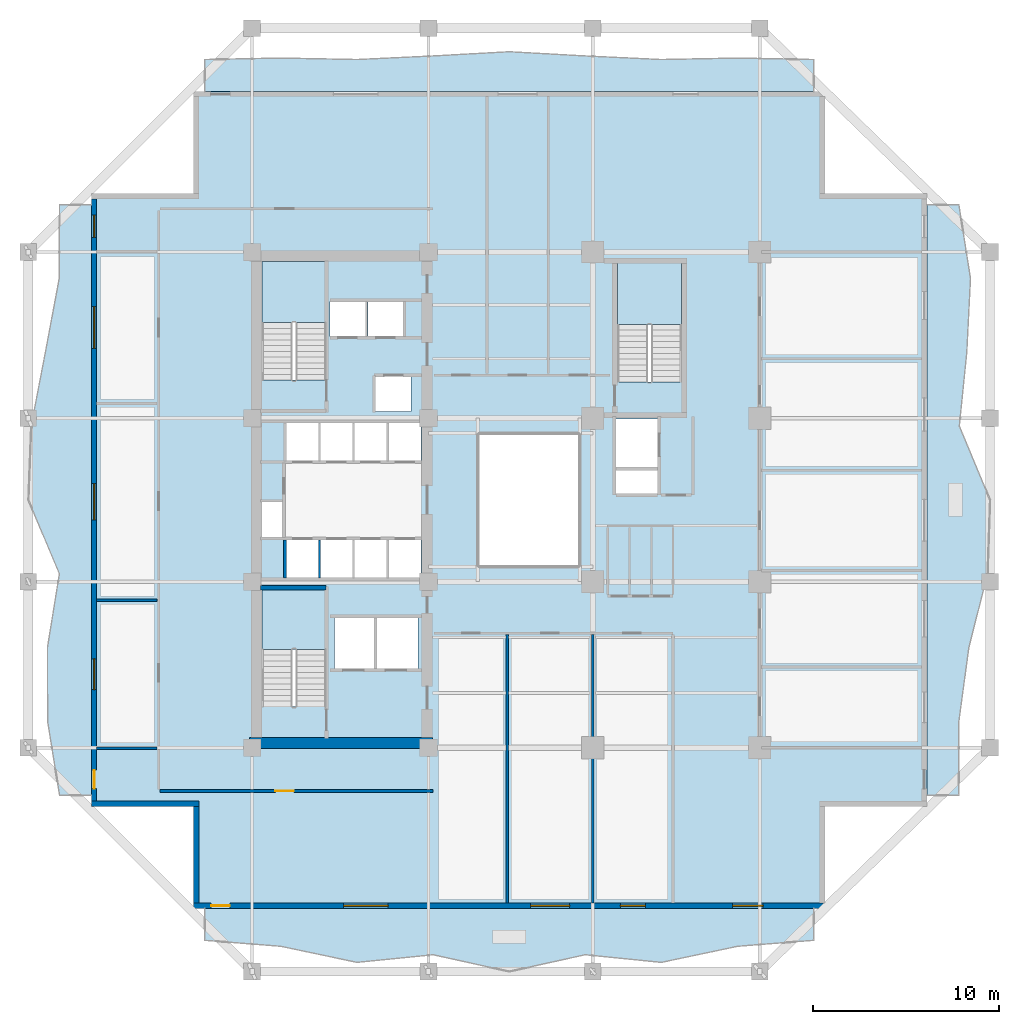
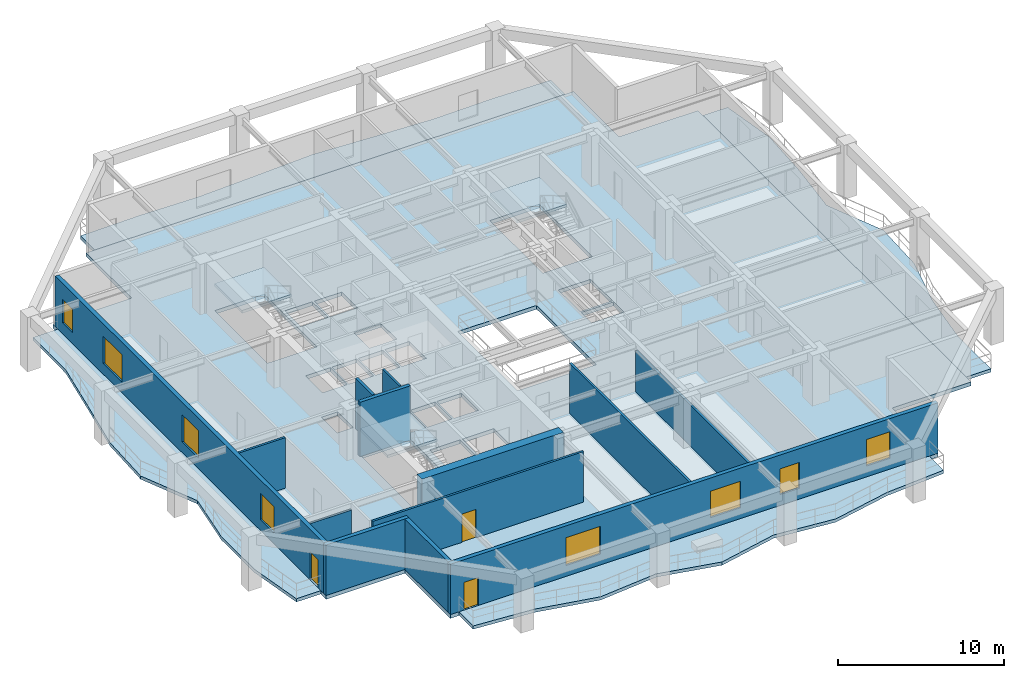
# One storey, part 2 of 13: 13 walls, 8 slabs, 8 windows, 3 doors, 11 openings, 3 elements without a shape of their own.
"""IFC4 building model written with IfcOpenShell, lengths in metres."""

from ifc_helpers import new_model, si_unit, direction, frame, frame_2d, origin, place, context, subcontext, project, spatial, polyline, rectangle, outline, extrude, material, layer, layer_set, type_object, element, fill, aggregate, save


model = new_model("IFC4")

# Units and contexts
model_context = context("Model", 3, precision=1e-05, world=origin(), true_north=direction((0.0, 1.0)))
body_context = subcontext(model_context, "Body", "Model", "MODEL_VIEW")
ifc_project = project(units=[si_unit("LENGTHUNIT", "METRE"), si_unit("AREAUNIT", "SQUARE_METRE"), si_unit("VOLUMEUNIT", "CUBIC_METRE"), si_unit("PLANEANGLEUNIT", "RADIAN"), si_unit("MASSUNIT", "GRAM", prefix="KILO")], contexts=[model_context])

# Site, building, storey
site_placement = place(None, origin())
site = spatial("IfcSite", under=ifc_project, at=site_placement, CompositionType="ELEMENT")
building_placement = place(site_placement, origin())
building = spatial("IfcBuilding", under=site, at=building_placement, Name="Kundavana Baori Tower", CompositionType="ELEMENT")
storey_placement = place(building_placement, frame((0.0, 0.0, 54.0)))
storey = spatial("IfcBuildingStorey", under=building, at=storey_placement, Name="L12", CompositionType="ELEMENT", Elevation=54.0)

# Slab
ifc_material_1 = material(Name="Concrete C40/50", Category="concrete")
ifc_layer_1 = layer(ifc_material_1, 0.280029296875, Name="SLB-FLR-280")
ifc_layer_set_1 = layer_set([ifc_layer_1], Name="Concrete C40/50")
slab_type_1 = type_object("IfcSlabType", Name="SLB-FLR-280", PredefinedType="FLOOR", material=ifc_layer_set_1)
slab_1_placement = place(storey_placement, frame((0.0, 0.0, -0.280029296875)))
element("IfcSlab", 1, at=slab_1_placement, inside=storey, type_object=slab_type_1, Name="L12 Structural Floor Slab", PredefinedType="FLOOR", context=body_context, shape_type="SweptSolid", body=[
    extrude(outline(polyline([(12.300048828125, 6.60009765625), (46.300048828125, 6.60009765625), (46.300048828125, 12.10009765625), (51.800048828125, 12.10009765625), (51.800048828125, 45.10009765625), (46.300048828125, 45.10009765625), (46.300048828125, 50.60009765625), (12.300048828125, 50.60009765625), (12.300048828125, 45.10009765625), (6.800048828125, 45.10009765625), (6.800048828125, 12.10009765625), (12.300048828125, 12.10009765625), (12.300048828125, 6.60009765625)]), holes=[polyline([(19.43994140625, 17.4619140625), (19.43994140625, 23.85009765625), (15.97998046875, 23.85009765625), (15.97998046875, 17.4619140625), (19.43994140625, 17.4619140625)]), polyline([(19.43994140625, 35.06201171875), (19.43994140625, 41.449951171875), (15.97998046875, 41.449951171875), (15.97998046875, 35.06201171875), (19.43994140625, 35.06201171875)]), polyline([(38.580078125, 34.9619140625), (38.580078125, 41.35009765625), (35.1201171875, 41.35009765625), (35.1201171875, 34.9619140625), (38.580078125, 34.9619140625)]), polyline([(17.300048828125, 24.39990234375), (19.02001953125, 24.39990234375), (19.02001953125, 26.449951171875), (17.300048828125, 26.449951171875), (17.300048828125, 24.39990234375)]), polyline([(19.139892578125, 24.39990234375), (20.860107421875, 24.39990234375), (20.860107421875, 26.449951171875), (19.139892578125, 26.449951171875), (19.139892578125, 24.39990234375)]), polyline([(20.97998046875, 24.39990234375), (22.699951171875, 24.39990234375), (22.699951171875, 26.449951171875), (20.97998046875, 26.449951171875), (20.97998046875, 24.39990234375)]), polyline([(22.820068359375, 24.39990234375), (24.5400390625, 24.39990234375), (24.5400390625, 26.449951171875), (22.820068359375, 26.449951171875), (22.820068359375, 24.39990234375)]), polyline([(17.300048828125, 30.699951171875), (19.02001953125, 30.699951171875), (19.02001953125, 32.75), (17.300048828125, 32.75), (17.300048828125, 30.699951171875)]), polyline([(19.139892578125, 30.699951171875), (20.860107421875, 30.699951171875), (20.860107421875, 32.75), (19.139892578125, 32.75), (19.139892578125, 30.699951171875)]), polyline([(20.97998046875, 30.699951171875), (22.699951171875, 30.699951171875), (22.699951171875, 32.75), (20.97998046875, 32.75), (20.97998046875, 30.699951171875)]), polyline([(22.820068359375, 30.699951171875), (24.5400390625, 30.699951171875), (24.5400390625, 32.75), (22.820068359375, 32.75), (22.820068359375, 30.699951171875)]), polyline([(19.64990234375, 37.39990234375), (21.550048828125, 37.39990234375), (21.550048828125, 39.300048828125), (19.64990234375, 39.300048828125), (19.64990234375, 37.39990234375)]), polyline([(21.699951171875, 37.39990234375), (23.60009765625, 37.39990234375), (23.60009765625, 39.300048828125), (21.699951171875, 39.300048828125), (21.699951171875, 37.39990234375)]), polyline([(22.10009765625, 33.35009765625), (24.0, 33.35009765625), (24.0, 35.25), (22.10009765625, 35.25), (22.10009765625, 33.35009765625)]), polyline([(19.8798828125, 19.5), (22.02001953125, 19.5), (22.02001953125, 22.25), (19.8798828125, 22.25), (19.8798828125, 19.5)]), polyline([(22.179931640625, 19.5), (24.3798828125, 19.5), (24.3798828125, 22.25), (22.179931640625, 22.25), (22.179931640625, 19.5)]), polyline([(35.050048828125, 30.35009765625), (37.300048828125, 30.35009765625), (37.300048828125, 32.949951171875), (35.050048828125, 32.949951171875), (35.050048828125, 30.35009765625)]), polyline([(15.949951171875, 26.60009765625), (17.080078125, 26.60009765625), (17.080078125, 28.5), (15.949951171875, 28.5), (15.949951171875, 26.60009765625)]), polyline([(35.050048828125, 28.949951171875), (37.300048828125, 28.949951171875), (37.300048828125, 30.199951171875), (35.050048828125, 30.199951171875), (35.050048828125, 28.949951171875)]), polyline([(27.60009765625, 25.0), (33.10009765625, 25.0), (33.10009765625, 32.199951171875), (27.60009765625, 32.199951171875), (27.60009765625, 25.0)])]), origin(), (0.0, 0.0, 1.0), 0.280029296875),
])

# Stair, slab
ifc_material_2 = material(Name="Concrete C40/50", Category="concrete")
stair_type = type_object("IfcStairType", Name="STR-DOG-1650", PredefinedType="HALF_TURN_STAIR", material=ifc_material_2)
stair_1_placement = place(storey_placement, origin())
stair_1 = element("IfcStair", 2, at=stair_1_placement, inside=storey, type_object=stair_type, Name="L12 Protected Exit Stair ST1", PredefinedType="HALF_TURN_STAIR")
ifc_material_3 = material(Name="Concrete C40/50", Category="concrete")
ifc_layer_2 = layer(ifc_material_3, 0.199951171875, Name="SLB-LND-200")
ifc_layer_set_2 = layer_set([ifc_layer_2], Name="Concrete C40/50")
slab_type_2 = type_object("IfcSlabType", Name="SLB-LND-200", PredefinedType="LANDING", material=ifc_layer_set_2)
slab_2_placement = place(storey_placement, frame((0.0, 0.0, 1.800048828125)))
slab_2 = element("IfcSlab", 3, at=slab_2_placement, type_object=slab_type_2, Name="ST1 landing 1", PredefinedType="LANDING", context=body_context, shape_type="SweptSolid", body=[
    extrude(outline(polyline([(19.43994140625, 20.550048828125), (19.43994140625, 23.85009765625), (15.97998046875, 23.85009765625), (15.97998046875, 20.550048828125), (19.43994140625, 20.550048828125)])), origin(), (0.0, 0.0, 1.0), 0.199951171875),
])
aggregate(stair_1, [slab_2])

stair_2_placement = place(storey_placement, origin())
stair_2 = element("IfcStair", 4, at=stair_2_placement, inside=storey, type_object=stair_type, Name="L12 Protected Exit Stair ST2", PredefinedType="HALF_TURN_STAIR")
slab_3_placement = place(storey_placement, frame((0.0, 0.0, 1.800048828125)))
slab_3 = element("IfcSlab", 5, at=slab_3_placement, type_object=slab_type_2, Name="ST2 landing 1", PredefinedType="LANDING", context=body_context, shape_type="SweptSolid", body=[
    extrude(outline(polyline([(19.43994140625, 38.14990234375), (19.43994140625, 41.449951171875), (15.97998046875, 41.449951171875), (15.97998046875, 38.14990234375), (19.43994140625, 38.14990234375)])), origin(), (0.0, 0.0, 1.0), 0.199951171875),
])
aggregate(stair_2, [slab_3])

stair_3_placement = place(storey_placement, origin())
stair_3 = element("IfcStair", 6, at=stair_3_placement, inside=storey, type_object=stair_type, Name="L12 Protected Exit Stair ST3", PredefinedType="HALF_TURN_STAIR")
slab_4_placement = place(storey_placement, frame((0.0, 0.0, 1.800048828125)))
slab_4 = element("IfcSlab", 7, at=slab_4_placement, type_object=slab_type_2, Name="ST3 landing 1", PredefinedType="LANDING", context=body_context, shape_type="SweptSolid", body=[
    extrude(outline(polyline([(38.580078125, 38.050048828125), (38.580078125, 41.35009765625), (35.1201171875, 41.35009765625), (35.1201171875, 38.050048828125), (38.580078125, 38.050048828125)])), origin(), (0.0, 0.0, 1.0), 0.199951171875),
])
aggregate(stair_3, [slab_4])

# Slabs
ifc_material_4 = material(Name="Concrete C40/50", Category="concrete")
ifc_layer_3 = layer(ifc_material_4, 0.239990234375, Name="SLB-LOG-240")
ifc_layer_set_3 = layer_set([ifc_layer_3], Name="Concrete C40/50")
slab_type_3 = type_object("IfcSlabType", Name="SLB-LOG-240", PredefinedType="FLOOR", material=ifc_layer_set_3)
slab_5_placement = place(storey_placement, frame((0.0, 0.0, -0.239990234375)))
element("IfcSlab", 8, at=slab_5_placement, inside=storey, type_object=slab_type_3, Name="L12 Planted Loggia Balcony Slab S", PredefinedType="FLOOR", context=body_context, shape_type="SweptSolid", body=[
    extrude(outline(polyline([(12.89990234375, 6.60009765625), (45.699951171875, 6.60009765625), (45.699951171875, 4.8798828125), (41.60009765625, 4.55908203125), (37.5, 3.69189453125), (33.39990234375, 4.10400390625), (29.300048828125, 3.199951171875), (25.199951171875, 4.10400390625), (21.10009765625, 3.69189453125), (17.0, 4.55908203125), (12.89990234375, 4.8798828125), (12.89990234375, 6.60009765625)])), origin(), (0.0, 0.0, 1.0), 0.239990234375),
])
slab_6_placement = place(storey_placement, frame((0.0, 0.0, -0.239990234375)))
element("IfcSlab", 9, at=slab_6_placement, inside=storey, type_object=slab_type_3, Name="L12 Planted Loggia Balcony Slab E", PredefinedType="FLOOR", context=body_context, shape_type="SweptSolid", body=[
    extrude(outline(polyline([(51.800048828125, 12.699951171875), (51.800048828125, 44.5), (53.52001953125, 44.5), (54.14501953125, 40.52490234375), (53.946044921875, 36.550048828125), (53.5419921875, 32.574951171875), (55.199951171875, 28.60009765625), (55.06396484375, 24.625), (54.056884765625, 20.64990234375), (53.52001953125, 16.675048828125), (53.52001953125, 12.699951171875), (51.800048828125, 12.699951171875)])), origin(), (0.0, 0.0, 1.0), 0.239990234375),
])
slab_7_placement = place(storey_placement, frame((0.0, 0.0, -0.239990234375)))
element("IfcSlab", 10, at=slab_7_placement, inside=storey, type_object=slab_type_3, Name="L12 Planted Loggia Balcony Slab N", PredefinedType="FLOOR", context=body_context, shape_type="SweptSolid", body=[
    extrude(outline(polyline([(45.699951171875, 50.60009765625), (12.89990234375, 50.60009765625), (12.89990234375, 52.320068359375), (17.0, 52.39990234375), (21.10009765625, 52.320068359375), (25.199951171875, 52.513916015625), (29.300048828125, 52.739990234375), (33.39990234375, 52.513916015625), (37.5, 52.320068359375), (41.60009765625, 52.39990234375), (45.699951171875, 52.320068359375), (45.699951171875, 50.60009765625)])), origin(), (0.0, 0.0, 1.0), 0.239990234375),
])
slab_8_placement = place(storey_placement, frame((0.0, 0.0, -0.239990234375)))
element("IfcSlab", 11, at=slab_8_placement, inside=storey, type_object=slab_type_3, Name="L12 Planted Loggia Balcony Slab W", PredefinedType="FLOOR", context=body_context, shape_type="SweptSolid", body=[
    extrude(outline(polyline([(6.800048828125, 44.5), (6.800048828125, 12.699951171875), (5.080078125, 12.699951171875), (4.43701171875, 16.675048828125), (4.428955078125, 20.64990234375), (5.072021484375, 24.625), (3.39990234375, 28.60009765625), (3.550048828125, 32.574951171875), (4.318115234375, 36.550048828125), (5.06201171875, 40.52490234375), (5.080078125, 44.5), (6.800048828125, 44.5)])), origin(), (0.0, 0.0, 1.0), 0.239990234375),
])

# Walls
ifc_material_5 = material(Name="Concrete C50/60", Category="concrete")
ifc_layer_4 = layer(ifc_material_5, 0.39990234375, Name="WL-CORE-400")
ifc_layer_set_4 = layer_set([ifc_layer_4], Name="Concrete C50/60")
wall_type_1 = type_object("IfcWallType", Name="WL-CORE-400", PredefinedType="SHEAR", material=ifc_layer_set_4)
wall_1_placement = place(storey_placement, frame((15.89990234375, 23.860107421875, 0.0), z_axis=(0.0, 0.0, 1.0), x_axis=(1.0, 0.0, 0.0)))
element("IfcWall", 12, at=wall_1_placement, inside=storey, type_object=wall_type_1, Name="WL-L12-ST1-N", PredefinedType="SHEAR", context=body_context, shape_type="SweptSolid", body=[
    extrude(rectangle(XDim=3.52001953125, YDim=0.239990234375, at=frame_2d((1.760009765625, 0.0))), origin(), (0.0, 0.0, 1.0), 4.0),
])
ifc_material_6 = material(Name="Concrete C60/75", Category="concrete")
ifc_layer_5 = layer(ifc_material_6, 0.60009765625, Name="WL-CORE-600")
ifc_layer_set_5 = layer_set([ifc_layer_5], Name="Concrete C60/75")
wall_type_2 = type_object("IfcWallType", Name="WL-CORE-600", PredefinedType="SHEAR", material=ifc_layer_set_5)
wall_2_placement = place(storey_placement, frame((15.300048828125, 15.510009765625, 0.0), z_axis=(0.0, 0.0, 1.0), x_axis=(1.0, 0.0, 0.0)))
element("IfcWall", 13, at=wall_2_placement, inside=storey, type_object=wall_type_2, Name="L12 Offset Core South Shear Wall", PredefinedType="SHEAR", context=body_context, shape_type="SweptSolid", body=[
    extrude(rectangle(XDim=9.8798828125, YDim=0.60009765625, at=frame_2d((4.93994140625, 0.0))), origin(), (0.0, 0.0, 1.0), 3.719970703125),
])

# Wall, openings, door, windows
ifc_material_7 = material(Name="Red-Buff Dholpur Sandstone Cladding on Concrete C40/50", Category="masonry")
ifc_layer_6 = layer(ifc_material_7, 0.280029296875, Name="WL-EXT-SAND-280")
ifc_layer_set_6 = layer_set([ifc_layer_6], Name="Red-Buff Dholpur Sandstone Cladding on Concrete C40/50")
wall_type_3 = type_object("IfcWallType", Name="WL-EXT-SAND-280", PredefinedType="STANDARD", material=ifc_layer_set_6)
wall_3_placement = place(storey_placement, frame((12.300048828125, 6.739990234375, 0.0), z_axis=(0.0, 0.0, 1.0), x_axis=(1.0, 0.0, 0.0)))
wall_3 = element("IfcWall", 14, at=wall_3_placement, inside=storey, type_object=wall_type_3, Name="L12 Exterior Insulated Facade Wall 01", PredefinedType="STANDARD", context=body_context, shape_type="SweptSolid", body=[
    extrude(rectangle(XDim=34.0, YDim=0.280029296875, at=frame_2d((17.0, 0.0))), origin(), (0.0, 0.0, 1.0), 3.719970703125),
])
opening_1_placement = place(wall_3_placement, frame((0.949951171875, 0.0, 0.0)))
opening_1 = element("IfcOpeningElement", 15, at=opening_1_placement, cuts=wall_3, Name="Opening BD-1", PredefinedType="OPENING", context=body_context, shape_type="SweptSolid", body=[
    extrude(rectangle(XDim=1.0, YDim=2.050048828125, at=frame_2d((0.5, 1.02490234375))), frame((0.0, 0.14990234375, 0.0), z_axis=(0.0, -1.0, 0.0), x_axis=(1.0, 0.0, 0.0)), (0.0, 0.0, 1.0), 0.300048828125),
])
opening_2_placement = place(wall_3_placement, frame((8.080078125, 0.0, 0.800048828125)))
opening_2 = element("IfcOpeningElement", 16, at=opening_2_placement, cuts=wall_3, Name="Opening W-04", PredefinedType="OPENING", context=body_context, shape_type="SweptSolid", body=[
    extrude(rectangle(XDim=2.39990234375, YDim=2.050048828125, at=frame_2d((1.199951171875, 1.02490234375))), frame((0.0, 0.14990234375, 0.0), z_axis=(0.0, -1.0, 0.0), x_axis=(1.0, 0.0, 0.0)), (0.0, 0.0, 1.0), 0.300048828125),
])
opening_3_placement = place(wall_3_placement, frame((18.14990234375, 0.0, 0.800048828125)))
opening_3 = element("IfcOpeningElement", 17, at=opening_3_placement, cuts=wall_3, Name="Opening W-05", PredefinedType="OPENING", context=body_context, shape_type="SweptSolid", body=[
    extrude(rectangle(XDim=2.10009765625, YDim=1.949951171875, at=frame_2d((1.050048828125, 0.97509765625))), frame((0.0, 0.14990234375, 0.0), z_axis=(0.0, -1.0, 0.0), x_axis=(1.0, 0.0, 0.0)), (0.0, 0.0, 1.0), 0.300048828125),
])
opening_4_placement = place(wall_3_placement, frame((22.985107421875, 0.0, 0.800048828125)))
opening_4 = element("IfcOpeningElement", 18, at=opening_4_placement, cuts=wall_3, Name="Opening W-07", PredefinedType="OPENING", context=body_context, shape_type="SweptSolid", body=[
    extrude(rectangle(XDim=1.35009765625, YDim=1.89990234375, at=frame_2d((0.675048828125, 0.949951171875))), frame((0.0, 0.14990234375, 0.0), z_axis=(0.0, -1.0, 0.0), x_axis=(1.0, 0.0, 0.0)), (0.0, 0.0, 1.0), 0.300048828125),
])
opening_5_placement = place(wall_3_placement, frame((29.030029296875, 0.0, 0.800048828125)))
opening_5 = element("IfcOpeningElement", 19, at=opening_5_placement, cuts=wall_3, Name="Opening W-08", PredefinedType="OPENING", context=body_context, shape_type="SweptSolid", body=[
    extrude(rectangle(XDim=1.64990234375, YDim=1.949951171875, at=frame_2d((0.824951171875, 0.97509765625))), frame((0.0, 0.14990234375, 0.0), z_axis=(0.0, -1.0, 0.0), x_axis=(1.0, 0.0, 0.0)), (0.0, 0.0, 1.0), 0.300048828125),
])
ifc_material_8 = material(Name="Architectural Patinated Bronze Metalwork")
door_type_1 = type_object("IfcDoorType", Name="DR-EXT-LOG-1000", OperationType="NOTDEFINED", PredefinedType="DOOR", material=ifc_material_8)
door_1_placement = place(opening_1_placement, frame((1.0, 0.0, 0.0), z_axis=(0.0, 0.0, 1.0), x_axis=(-1.0, 0.0, 0.0)))
door_1 = element("IfcDoor", 20, at=door_1_placement, inside=storey, type_object=door_type_1, Name="L12 Loggia Balcony Access Door S", OperationType="SINGLE_SWING_LEFT", OverallHeight=2.050048828125, OverallWidth=1.0, PredefinedType="DOOR", context=body_context, shape_type="SweptSolid", body=[
    extrude(rectangle(XDim=1.0, YDim=2.050048828125, at=frame_2d((0.5, 1.02490234375))), frame((0.0, 0.02490234375, 0.0), z_axis=(0.0, -1.0, 0.0), x_axis=(1.0, 0.0, 0.0)), (0.0, 0.0, 1.0), 0.050048828125),
])
fill(opening_1, door_1)
ifc_material_9 = material(Name="Double-Glazed Solar-Control Low-E Insulated Glass", Category="glass")
window_type_1 = type_object("IfcWindowType", Name="WIN-LOG-1350x1900", PartitioningType="SINGLE_PANEL", PredefinedType="WINDOW", material=ifc_material_9)
window_1_placement = place(opening_4_placement, origin())
window_1 = element("IfcWindow", 21, at=window_1_placement, inside=storey, type_object=window_type_1, Name="L12 Recessed Loggia Window S-3", OverallHeight=1.89990234375, OverallWidth=1.35009765625, PartitioningType="SINGLE_PANEL", PredefinedType="WINDOW", context=body_context, shape_type="SweptSolid", body=[
    extrude(rectangle(XDim=1.35009765625, YDim=1.89990234375, at=frame_2d((0.675048828125, 0.949951171875))), frame((0.0, 0.030029296875, 0.0), z_axis=(0.0, -1.0, 0.0), x_axis=(1.0, 0.0, 0.0)), (0.0, 0.0, 1.0), 0.06005859375),
])
fill(opening_4, window_1)
ifc_material_10 = material(Name="Double-Glazed Solar-Control Low-E Insulated Glass", Category="glass")
window_type_2 = type_object("IfcWindowType", Name="WIN-LOG-1650x1950", PartitioningType="SINGLE_PANEL", PredefinedType="WINDOW", material=ifc_material_10)
window_2_placement = place(opening_5_placement, origin())
window_2 = element("IfcWindow", 22, at=window_2_placement, inside=storey, type_object=window_type_2, Name="L12 Recessed Loggia Window S-4", OverallHeight=1.949951171875, OverallWidth=1.64990234375, PartitioningType="SINGLE_PANEL", PredefinedType="WINDOW", context=body_context, shape_type="SweptSolid", body=[
    extrude(rectangle(XDim=1.64990234375, YDim=1.949951171875, at=frame_2d((0.824951171875, 0.97509765625))), frame((0.0, 0.030029296875, 0.0), z_axis=(0.0, -1.0, 0.0), x_axis=(1.0, 0.0, 0.0)), (0.0, 0.0, 1.0), 0.06005859375),
])
fill(opening_5, window_2)
ifc_material_11 = material(Name="Double-Glazed Solar-Control Low-E Insulated Glass", Category="glass")
window_type_3 = type_object("IfcWindowType", Name="WIN-LOG-2100x1950", PartitioningType="SINGLE_PANEL", PredefinedType="WINDOW", material=ifc_material_11)
window_3_placement = place(opening_3_placement, origin())
window_3 = element("IfcWindow", 23, at=window_3_placement, inside=storey, type_object=window_type_3, Name="L12 Recessed Loggia Window S-2", OverallHeight=1.949951171875, OverallWidth=2.10009765625, PartitioningType="SINGLE_PANEL", PredefinedType="WINDOW", context=body_context, shape_type="SweptSolid", body=[
    extrude(rectangle(XDim=2.10009765625, YDim=1.949951171875, at=frame_2d((1.050048828125, 0.97509765625))), frame((0.0, 0.030029296875, 0.0), z_axis=(0.0, -1.0, 0.0), x_axis=(1.0, 0.0, 0.0)), (0.0, 0.0, 1.0), 0.06005859375),
])
fill(opening_3, window_3)
ifc_material_12 = material(Name="Double-Glazed Solar-Control Low-E Insulated Glass", Category="glass")
window_type_4 = type_object("IfcWindowType", Name="WIN-LOG-2400x2050", PartitioningType="SINGLE_PANEL", PredefinedType="WINDOW", material=ifc_material_12)
window_4_placement = place(opening_2_placement, origin())
window_4 = element("IfcWindow", 24, at=window_4_placement, inside=storey, type_object=window_type_4, Name="L12 Recessed Loggia Window S-1", OverallHeight=2.050048828125, OverallWidth=2.39990234375, PartitioningType="SINGLE_PANEL", PredefinedType="WINDOW", context=body_context, shape_type="SweptSolid", body=[
    extrude(rectangle(XDim=2.39990234375, YDim=2.050048828125, at=frame_2d((1.199951171875, 1.02490234375))), frame((0.0, 0.030029296875, 0.0), z_axis=(0.0, -1.0, 0.0), x_axis=(1.0, 0.0, 0.0)), (0.0, 0.0, 1.0), 0.06005859375),
])
fill(opening_2, window_4)

wall_4_placement = place(storey_placement, frame((6.93994140625, 44.820068359375, 0.0), z_axis=(0.0, 0.0, 1.0), x_axis=(0.0, -1.0, 0.0)))
wall_4 = element("IfcWall", 25, at=wall_4_placement, inside=storey, type_object=wall_type_3, Name="L12 Exterior Insulated Facade Wall 10", PredefinedType="STANDARD", context=body_context, shape_type="SweptSolid", body=[
    extrude(rectangle(XDim=32.440185546875, YDim=0.280029296875, at=frame_2d((16.22021484375, 0.0))), origin(), (0.0, 0.0, 1.0), 3.719970703125),
])
opening_6_placement = place(wall_4_placement, frame((30.77001953125, 0.0, 0.0)))
opening_6 = element("IfcOpeningElement", 26, at=opening_6_placement, cuts=wall_4, Name="Opening BD-1", PredefinedType="OPENING", context=body_context, shape_type="SweptSolid", body=[
    extrude(rectangle(XDim=1.0, YDim=2.050048828125, at=frame_2d((0.5, 1.02490234375))), frame((0.0, 0.14990234375, 0.0), z_axis=(0.0, -1.0, 0.0), x_axis=(1.0, 0.0, 0.0)), (0.0, 0.0, 1.0), 0.300048828125),
])
opening_7_placement = place(wall_4_placement, frame((24.784912109375, 0.0, 0.800048828125)))
opening_7 = element("IfcOpeningElement", 27, at=opening_7_placement, cuts=wall_4, Name="Opening W-08", PredefinedType="OPENING", context=body_context, shape_type="SweptSolid", body=[
    extrude(rectangle(XDim=1.64990234375, YDim=1.949951171875, at=frame_2d((0.824951171875, 0.97509765625))), frame((0.0, 0.14990234375, 0.0), z_axis=(0.0, -1.0, 0.0), x_axis=(1.0, 0.0, 0.0)), (0.0, 0.0, 1.0), 0.300048828125),
])
opening_8_placement = place(wall_4_placement, frame((15.344970703125, 0.0, 0.800048828125)))
opening_8 = element("IfcOpeningElement", 28, at=opening_8_placement, cuts=wall_4, Name="Opening W-09", PredefinedType="OPENING", context=body_context, shape_type="SweptSolid", body=[
    extrude(rectangle(XDim=1.949951171875, YDim=2.0, at=frame_2d((0.97509765625, 1.0))), frame((0.0, 0.14990234375, 0.0), z_axis=(0.0, -1.0, 0.0), x_axis=(1.0, 0.0, 0.0)), (0.0, 0.0, 1.0), 0.300048828125),
])
opening_9_placement = place(wall_4_placement, frame((5.804931640625, 0.0, 0.800048828125)))
opening_9 = element("IfcOpeningElement", 29, at=opening_9_placement, cuts=wall_4, Name="Opening W-10", PredefinedType="OPENING", context=body_context, shape_type="SweptSolid", body=[
    extrude(rectangle(XDim=2.25, YDim=2.0, at=frame_2d((1.125, 1.0))), frame((0.0, 0.14990234375, 0.0), z_axis=(0.0, -1.0, 0.0), x_axis=(1.0, 0.0, 0.0)), (0.0, 0.0, 1.0), 0.300048828125),
])
opening_10_placement = place(wall_4_placement, frame((0.875, 0.0, 0.800048828125)))
opening_10 = element("IfcOpeningElement", 30, at=opening_10_placement, cuts=wall_4, Name="Opening W-03", PredefinedType="OPENING", context=body_context, shape_type="SweptSolid", body=[
    extrude(rectangle(XDim=1.199951171875, YDim=1.75, at=frame_2d((0.60009765625, 0.875))), frame((0.0, 0.14990234375, 0.0), z_axis=(0.0, -1.0, 0.0), x_axis=(1.0, 0.0, 0.0)), (0.0, 0.0, 1.0), 0.300048828125),
])
door_2_placement = place(opening_6_placement, frame((1.0, 0.0, 0.0), z_axis=(0.0, 0.0, 1.0), x_axis=(-1.0, 0.0, 0.0)))
door_2 = element("IfcDoor", 31, at=door_2_placement, inside=storey, type_object=door_type_1, Name="L12 Loggia Balcony Access Door W", OperationType="SINGLE_SWING_RIGHT", OverallHeight=2.050048828125, OverallWidth=1.0, PredefinedType="DOOR", context=body_context, shape_type="SweptSolid", body=[
    extrude(rectangle(XDim=1.0, YDim=2.050048828125, at=frame_2d((0.5, 1.02490234375))), frame((0.0, 0.02490234375, 0.0), z_axis=(0.0, -1.0, 0.0), x_axis=(1.0, 0.0, 0.0)), (0.0, 0.0, 1.0), 0.050048828125),
])
fill(opening_6, door_2)
ifc_material_13 = material(Name="Double-Glazed Solar-Control Low-E Insulated Glass", Category="glass")
window_type_5 = type_object("IfcWindowType", Name="WIN-LOG-1200x1750", PartitioningType="SINGLE_PANEL", PredefinedType="WINDOW", material=ifc_material_13)
window_5_placement = place(opening_10_placement, origin())
window_5 = element("IfcWindow", 32, at=window_5_placement, inside=storey, type_object=window_type_5, Name="L12 Recessed Loggia Window W-5", OverallHeight=1.75, OverallWidth=1.199951171875, PartitioningType="SINGLE_PANEL", PredefinedType="WINDOW", context=body_context, shape_type="SweptSolid", body=[
    extrude(rectangle(XDim=1.199951171875, YDim=1.75, at=frame_2d((0.60009765625, 0.875))), frame((0.0, 0.030029296875, 0.0), z_axis=(0.0, -1.0, 0.0), x_axis=(1.0, 0.0, 0.0)), (0.0, 0.0, 1.0), 0.06005859375),
])
fill(opening_10, window_5)
window_6_placement = place(opening_7_placement, origin())
window_6 = element("IfcWindow", 33, at=window_6_placement, inside=storey, type_object=window_type_2, Name="L12 Recessed Loggia Window W-2", OverallHeight=1.949951171875, OverallWidth=1.64990234375, PartitioningType="SINGLE_PANEL", PredefinedType="WINDOW", context=body_context, shape_type="SweptSolid", body=[
    extrude(rectangle(XDim=1.64990234375, YDim=1.949951171875, at=frame_2d((0.824951171875, 0.97509765625))), frame((0.0, 0.030029296875, 0.0), z_axis=(0.0, -1.0, 0.0), x_axis=(1.0, 0.0, 0.0)), (0.0, 0.0, 1.0), 0.06005859375),
])
fill(opening_7, window_6)
ifc_material_14 = material(Name="Double-Glazed Solar-Control Low-E Insulated Glass", Category="glass")
window_type_6 = type_object("IfcWindowType", Name="WIN-LOG-1950x2000", PartitioningType="SINGLE_PANEL", PredefinedType="WINDOW", material=ifc_material_14)
window_7_placement = place(opening_8_placement, origin())
window_7 = element("IfcWindow", 34, at=window_7_placement, inside=storey, type_object=window_type_6, Name="L12 Recessed Loggia Window W-3", OverallHeight=2.0, OverallWidth=1.949951171875, PartitioningType="SINGLE_PANEL", PredefinedType="WINDOW", context=body_context, shape_type="SweptSolid", body=[
    extrude(rectangle(XDim=1.949951171875, YDim=2.0, at=frame_2d((0.97509765625, 1.0))), frame((0.0, 0.030029296875, 0.0), z_axis=(0.0, -1.0, 0.0), x_axis=(1.0, 0.0, 0.0)), (0.0, 0.0, 1.0), 0.06005859375),
])
fill(opening_8, window_7)
ifc_material_15 = material(Name="Double-Glazed Solar-Control Low-E Insulated Glass", Category="glass")
window_type_7 = type_object("IfcWindowType", Name="WIN-LOG-2250x2000", PartitioningType="SINGLE_PANEL", PredefinedType="WINDOW", material=ifc_material_15)
window_8_placement = place(opening_9_placement, origin())
window_8 = element("IfcWindow", 35, at=window_8_placement, inside=storey, type_object=window_type_7, Name="L12 Recessed Loggia Window W-4", OverallHeight=2.0, OverallWidth=2.25, PartitioningType="SINGLE_PANEL", PredefinedType="WINDOW", context=body_context, shape_type="SweptSolid", body=[
    extrude(rectangle(XDim=2.25, YDim=2.0, at=frame_2d((1.125, 1.0))), frame((0.0, 0.030029296875, 0.0), z_axis=(0.0, -1.0, 0.0), x_axis=(1.0, 0.0, 0.0)), (0.0, 0.0, 1.0), 0.06005859375),
])
fill(opening_9, window_8)

# Walls
wall_5_placement = place(storey_placement, frame((6.800048828125, 12.239990234375, 0.0), z_axis=(0.0, 0.0, 1.0), x_axis=(1.0, 0.0, 0.0)))
element("IfcWall", 36, at=wall_5_placement, inside=storey, type_object=wall_type_3, Name="L12 Exterior Insulated Facade Wall 11", PredefinedType="STANDARD", context=body_context, shape_type="SweptSolid", body=[
    extrude(rectangle(XDim=5.780029296875, YDim=0.280029296875, at=frame_2d((2.89013671875, 0.0))), origin(), (0.0, 0.0, 1.0), 3.719970703125),
])
wall_6_placement = place(storey_placement, frame((12.43994140625, 12.10009765625, 0.0), z_axis=(0.0, 0.0, 1.0), x_axis=(0.0, -1.0, 0.0)))
element("IfcWall", 37, at=wall_6_placement, inside=storey, type_object=wall_type_3, Name="L12 Exterior Insulated Facade Wall 12", PredefinedType="STANDARD", context=body_context, shape_type="SweptSolid", body=[
    extrude(rectangle(XDim=5.22021484375, YDim=0.280029296875, at=frame_2d((2.610107421875, 0.0))), origin(), (0.0, 0.0, 1.0), 3.719970703125),
])
ifc_material_16 = material(Name="Acoustic Gypsum Plasterboard on Galvanised Steel Studs", Category="steel")
ifc_layer_7 = layer(ifc_material_16, 0.1201171875, Name="WL-PART-120")
ifc_layer_set_7 = layer_set([ifc_layer_7], Name="Acoustic Gypsum Plasterboard on Galvanised Steel Studs")
wall_type_4 = type_object("IfcWallType", Name="WL-PART-120", PredefinedType="PARTITIONING", material=ifc_layer_set_7)
wall_7_placement = place(storey_placement, frame((19.080078125, 24.39990234375, 0.0), z_axis=(0.0, 0.0, 1.0), x_axis=(0.0, 1.0, 0.0)))
element("IfcWall", 38, at=wall_7_placement, inside=storey, type_object=wall_type_4, Name="WL-L12-LPLOW-D1", PredefinedType="PARTITIONING", context=body_context, shape_type="SweptSolid", body=[
    extrude(rectangle(XDim=2.050048828125, YDim=0.1201171875, at=frame_2d((1.02490234375, 0.0))), origin(), (0.0, 0.0, 1.0), 3.719970703125),
])
ifc_material_17 = material(Name="Fire-Rated Gypsum Drywall on Galvanised Steel Studs", Category="steel")
ifc_layer_8 = layer(ifc_material_17, 0.14990234375, Name="WL-PART-150")
ifc_layer_set_8 = layer_set([ifc_layer_8], Name="Fire-Rated Gypsum Drywall on Galvanised Steel Studs")
wall_type_5 = type_object("IfcWallType", Name="WL-PART-150", PredefinedType="PARTITIONING", material=ifc_layer_set_8)
wall_8_placement = place(storey_placement, frame((7.080078125, 15.219970703125, 0.0), z_axis=(0.0, 0.0, 1.0), x_axis=(1.0, 0.0, 0.0)))
element("IfcWall", 39, at=wall_8_placement, inside=storey, type_object=wall_type_5, Name="WL-L12-OWS", PredefinedType="PARTITIONING", context=body_context, shape_type="SweptSolid", body=[
    extrude(rectangle(XDim=3.260009765625, YDim=0.14990234375, at=frame_2d((1.6298828125, 0.0))), origin(), (0.0, 0.0, 1.0), 3.219970703125),
])

# Wall, opening, door
wall_9_placement = place(storey_placement, frame((10.5, 12.919921875, 0.0), z_axis=(0.0, 0.0, 1.0), x_axis=(1.0, 0.0, 0.0)))
wall_9 = element("IfcWall", 40, at=wall_9_placement, inside=storey, type_object=wall_type_5, Name="WL-L12-OSC", PredefinedType="PARTITIONING", context=body_context, shape_type="SweptSolid", body=[
    extrude(rectangle(XDim=14.699951171875, YDim=0.14990234375, at=frame_2d((7.35009765625, 0.0))), origin(), (0.0, 0.0, 1.0), 3.719970703125),
])
opening_11_placement = place(wall_9_placement, frame((6.199951171875, 0.0, 0.0)))
opening_11 = element("IfcOpeningElement", 41, at=opening_11_placement, cuts=wall_9, Name="Opening ID-100", PredefinedType="OPENING", context=body_context, shape_type="SweptSolid", body=[
    extrude(rectangle(XDim=1.0, YDim=2.080078125, at=frame_2d((0.5, 1.0400390625))), frame((0.0, 0.0849609375, 0.0), z_axis=(0.0, -1.0, 0.0), x_axis=(1.0, 0.0, 0.0)), (0.0, 0.0, 1.0), 0.169921875),
])
ifc_material_18 = material(Name="Engineered Teak Solid-Core Timber Veneer", Category="wood")
door_type_2 = type_object("IfcDoorType", Name="DR-INT-1000", OperationType="NOTDEFINED", PredefinedType="DOOR", material=ifc_material_18)
door_3_placement = place(opening_11_placement, frame((1.0, 0.0, 0.0), z_axis=(0.0, 0.0, 1.0), x_axis=(-1.0, 0.0, 0.0)))
door_3 = element("IfcDoor", 42, at=door_3_placement, inside=storey, type_object=door_type_2, Name="DR-L12-OSWC", OperationType="SINGLE_SWING_LEFT", OverallHeight=2.080078125, OverallWidth=1.0, PredefinedType="DOOR", context=body_context, shape_type="SweptSolid", body=[
    extrude(rectangle(XDim=1.0, YDim=2.080078125, at=frame_2d((0.5, 1.0400390625))), frame((0.0, 0.02490234375, 0.0), z_axis=(0.0, -1.0, 0.0), x_axis=(1.0, 0.0, 0.0)), (0.0, 0.0, 1.0), 0.050048828125),
])
fill(opening_11, door_3)

# Walls
wall_10_placement = place(storey_placement, frame((7.080078125, 23.199951171875, 0.0), z_axis=(0.0, 0.0, 1.0), x_axis=(1.0, 0.0, 0.0)))
element("IfcWall", 43, at=wall_10_placement, inside=storey, type_object=wall_type_5, Name="WL-L12-WD1", PredefinedType="PARTITIONING", context=body_context, shape_type="SweptSolid", body=[
    extrude(rectangle(XDim=3.260009765625, YDim=0.14990234375, at=frame_2d((1.6298828125, 0.0))), origin(), (0.0, 0.0, 1.0), 3.719970703125),
])
wall_11_placement = place(storey_placement, frame((29.199951171875, 6.8798828125, 0.0), z_axis=(0.0, 0.0, 1.0), x_axis=(0.0, 1.0, 0.0)))
element("IfcWall", 44, at=wall_11_placement, inside=storey, type_object=wall_type_5, Name="WL-L12-SD1", PredefinedType="PARTITIONING", context=body_context, shape_type="SweptSolid", body=[
    extrude(rectangle(XDim=14.460205078125, YDim=0.14990234375, at=frame_2d((7.22998046875, 0.0))), origin(), (0.0, 0.0, 1.0), 3.719970703125),
])
wall_12_placement = place(storey_placement, frame((33.800048828125, 6.8798828125, 0.0), z_axis=(0.0, 0.0, 1.0), x_axis=(0.0, 1.0, 0.0)))
element("IfcWall", 45, at=wall_12_placement, inside=storey, type_object=wall_type_5, Name="WL-L12-SD2", PredefinedType="PARTITIONING", context=body_context, shape_type="SweptSolid", body=[
    extrude(rectangle(XDim=14.460205078125, YDim=0.14990234375, at=frame_2d((7.22998046875, 0.0))), origin(), (0.0, 0.0, 1.0), 3.02001953125),
])
ifc_material_19 = material(Name="Autoclaved Aerated Concrete Blockwork Masonry", Category="masonry")
ifc_layer_9 = layer(ifc_material_19, 0.179931640625, Name="WL-SHAFT-180")
ifc_layer_set_9 = layer_set([ifc_layer_9], Name="Autoclaved Aerated Concrete Blockwork Masonry")
wall_type_6 = type_object("IfcWallType", Name="WL-SHAFT-180", PredefinedType="SOLIDWALL", material=ifc_layer_set_9)
wall_13_placement = place(storey_placement, frame((17.219970703125, 24.39990234375, 0.0), z_axis=(0.0, 0.0, 1.0), x_axis=(0.0, 1.0, 0.0)))
element("IfcWall", 46, at=wall_13_placement, inside=storey, type_object=wall_type_6, Name="WL-L12-LPLOW-W", PredefinedType="SOLIDWALL", context=body_context, shape_type="SweptSolid", body=[
    extrude(rectangle(XDim=2.050048828125, YDim=0.179931640625, at=frame_2d((1.02490234375, 0.0))), origin(), (0.0, 0.0, 1.0), 3.719970703125),
])

save(model, "model.ifc")
